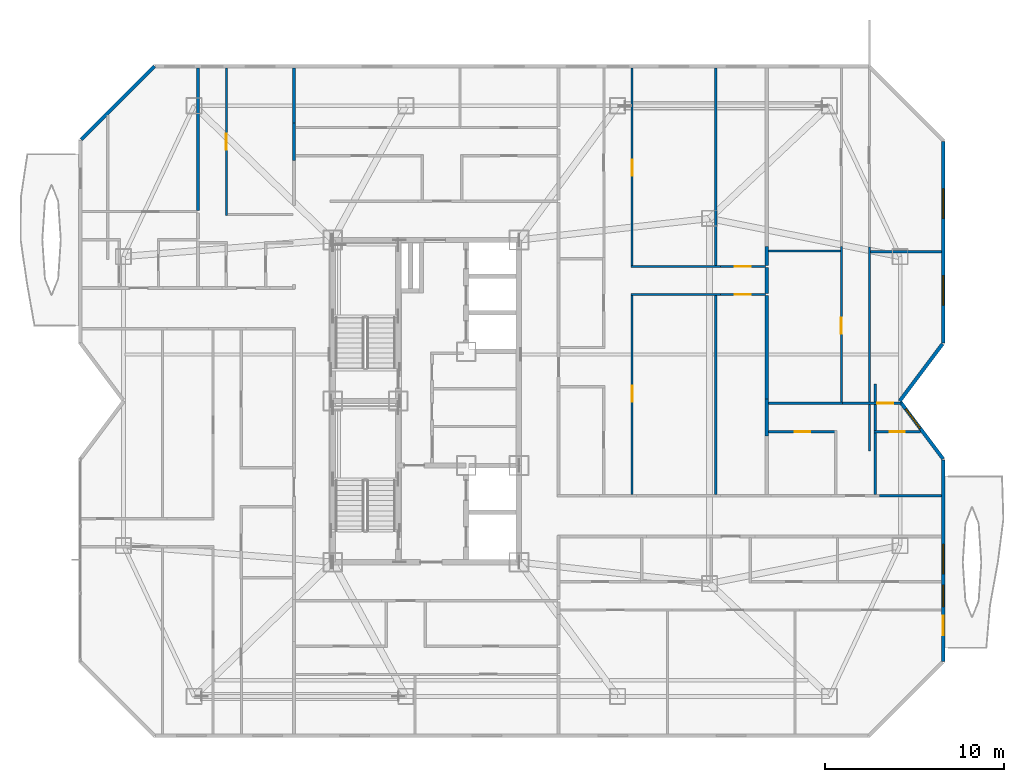
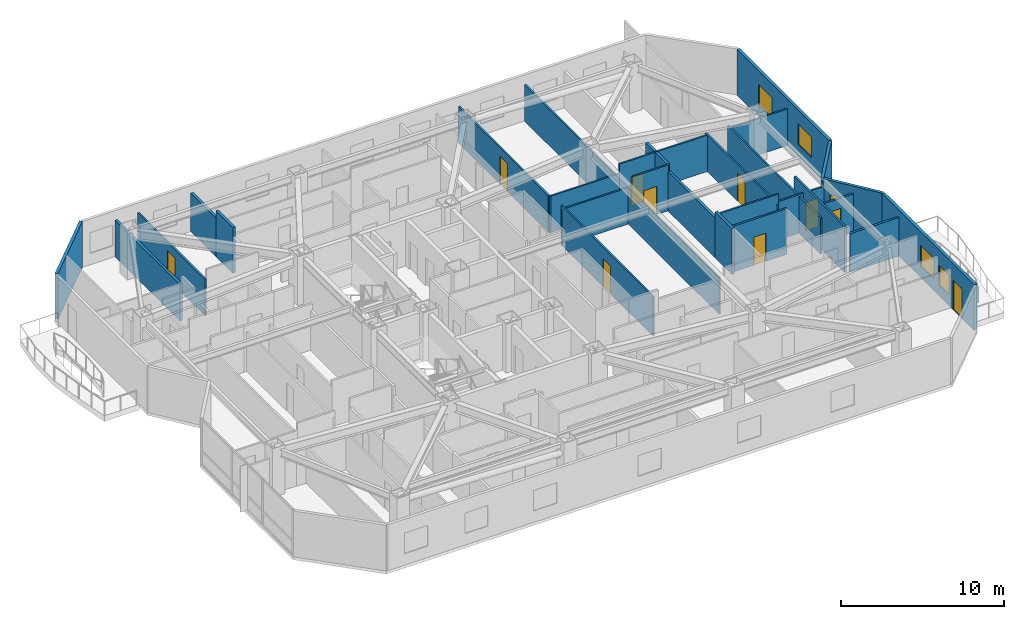
# One storey, part 13 of 16: 31 walls, 10 doors, 5 windows, 15 openings.
"""IFC4 building model written with IfcOpenShell, lengths in metres."""

from ifc_helpers import new_model, si_unit, direction, frame, frame_2d, origin, place, context, subcontext, project, spatial, rectangle, extrude, material, layer, layer_set, type_object, element, fill, save


model = new_model("IFC4")

# Units and contexts
model_context = context("Model", 3, precision=1e-05, world=origin(), true_north=direction((0.0, 1.0)))
body_context = subcontext(model_context, "Body", "Model", "MODEL_VIEW")
ifc_project = project(units=[si_unit("LENGTHUNIT", "METRE"), si_unit("AREAUNIT", "SQUARE_METRE"), si_unit("VOLUMEUNIT", "CUBIC_METRE"), si_unit("PLANEANGLEUNIT", "RADIAN"), si_unit("MASSUNIT", "GRAM", prefix="KILO")], contexts=[model_context])

# Site, building, storey
site_placement = place(None, origin())
site = spatial("IfcSite", under=ifc_project, at=site_placement, CompositionType="ELEMENT")
building_placement = place(site_placement, origin())
building = spatial("IfcBuilding", under=site, at=building_placement, Name="Khamvora Tower", CompositionType="ELEMENT")
storey_placement = place(building_placement, frame((0.0, 0.0, 170.5)))
storey = spatial("IfcBuildingStorey", under=building, at=storey_placement, Name="L43", CompositionType="ELEMENT", Elevation=170.5)

# Walls
ifc_material_1 = material(Name="Fire-Rated Drywall and Steel Stud", Category="steel")
ifc_layer_1 = layer(ifc_material_1, 0.14990234375)
ifc_layer_set_1 = layer_set([ifc_layer_1], Name="Fire-Rated Drywall and Steel Stud")
wall_type_1 = type_object("IfcWallType", Name="WAL-CORR-150", PredefinedType="STANDARD", material=ifc_layer_set_1)
wall_1_placement = place(storey_placement, frame((59.547119140625, 22.715087890625, 0.0), z_axis=(0.0, 0.0, 1.0), x_axis=(1.0, 0.0, 0.0)))
element("IfcWall", 1, at=wall_1_placement, inside=storey, type_object=wall_type_1, Name="L43 interior partition wall 043", PredefinedType="STANDARD", context=body_context, shape_type="SweptSolid", body=[
    extrude(rectangle(XDim=3.4609375, YDim=0.14990234375, at=frame_2d((1.73046875, 0.0))), origin(), (0.0, 0.0, 1.0), 2.8759765625),
])
ifc_material_2 = material(Name="Acoustic Double-Stud Fire Wall", Category="gypsum")
ifc_layer_2 = layer(ifc_material_2, 0.179931640625)
ifc_layer_set_2 = layer_set([ifc_layer_2], Name="Acoustic Double-Stud Fire Wall")
wall_type_2 = type_object("IfcWallType", Name="WAL-CORR-180", PredefinedType="STANDARD", material=ifc_layer_set_2)
wall_2_placement = place(storey_placement, frame((21.47509765625, 46.60791015625, 0.0), z_axis=(0.0, 0.0, 1.0), x_axis=(0.0, -1.0, 0.0)))
element("IfcWall", 2, at=wall_2_placement, inside=storey, type_object=wall_type_2, Name="L43 interior partition wall 071", PredefinedType="STANDARD", context=body_context, shape_type="SweptSolid", body=[
    extrude(rectangle(XDim=7.9619140625, YDim=0.179931640625, at=frame_2d((3.98095703125, 0.0))), origin(), (0.0, 0.0, 1.0), 2.72509765625),
])
wall_3_placement = place(storey_placement, frame((26.8349609375, 43.52392578125, 0.0), z_axis=(0.0, 0.0, 1.0), x_axis=(0.0, -1.0, 0.0)))
element("IfcWall", 3, at=wall_3_placement, inside=storey, type_object=wall_type_2, Name="L43 interior partition wall 078", PredefinedType="STANDARD", context=body_context, shape_type="SweptSolid", body=[
    extrude(rectangle(XDim=2.077880859375, YDim=0.179931640625, at=frame_2d((1.0390625, 0.0))), origin(), (0.0, 0.0, 1.0), 3.429931640625),
])
wall_4_placement = place(storey_placement, frame((26.8349609375, 46.60791015625, 0.0), z_axis=(0.0, 0.0, 1.0), x_axis=(0.0, -1.0, 0.0)))
element("IfcWall", 4, at=wall_4_placement, inside=storey, type_object=wall_type_2, Name="L43 interior partition wall 080", PredefinedType="STANDARD", context=body_context, shape_type="SweptSolid", body=[
    extrude(rectangle(XDim=3.083984375, YDim=0.179931640625, at=frame_2d((1.5419921875, 0.0))), origin(), (0.0, 0.0, 1.0), 2.8759765625),
])
wall_5_placement = place(storey_placement, frame((53.240966796875, 35.455078125, 0.0), z_axis=(0.0, 0.0, 1.0), x_axis=(0.0, -1.0, 0.0)))
element("IfcWall", 5, at=wall_5_placement, inside=storey, type_object=wall_type_2, Name="L43 interior partition wall 127", PredefinedType="STANDARD", context=body_context, shape_type="SweptSolid", body=[
    extrude(rectangle(XDim=1.440185546875, YDim=0.179931640625, at=frame_2d((0.72021484375, 0.0))), origin(), (0.0, 0.0, 1.0), 3.429931640625),
])
wall_6_placement = place(storey_placement, frame((53.240966796875, 28.1240234375, 0.0), z_axis=(0.0, 0.0, 1.0), x_axis=(0.0, -1.0, 0.0)))
element("IfcWall", 6, at=wall_6_placement, inside=storey, type_object=wall_type_2, Name="L43 interior partition wall 129", PredefinedType="STANDARD", context=body_context, shape_type="SweptSolid", body=[
    extrude(rectangle(XDim=2.078125, YDim=0.179931640625, at=frame_2d((1.0390625, 0.0))), origin(), (0.0, 0.0, 1.0), 3.429931640625),
])
wall_7_placement = place(storey_placement, frame((53.240966796875, 33.885009765625, 0.0), z_axis=(0.0, 0.0, 1.0), x_axis=(0.0, -1.0, 0.0)))
element("IfcWall", 7, at=wall_7_placement, inside=storey, type_object=wall_type_2, Name="L43 interior partition wall 131", PredefinedType="STANDARD", context=body_context, shape_type="SweptSolid", body=[
    extrude(rectangle(XDim=5.760986328125, YDim=0.179931640625, at=frame_2d((2.88037109375, 0.0))), origin(), (0.0, 0.0, 1.0), 2.95703125),
])
wall_8_placement = place(storey_placement, frame((53.240966796875, 36.635009765625, 0.0), z_axis=(0.0, 0.0, 1.0), x_axis=(0.0, -1.0, 0.0)))
element("IfcWall", 8, at=wall_8_placement, inside=storey, type_object=wall_type_2, Name="L43 interior partition wall 133", PredefinedType="STANDARD", context=body_context, shape_type="SweptSolid", body=[
    extrude(rectangle(XDim=1.050048828125, YDim=0.179931640625, at=frame_2d((0.52490234375, 0.0))), origin(), (0.0, 0.0, 1.0), 3.429931640625),
])
ifc_material_3 = material(Name="Precast concrete C40/50", Category="concrete")
ifc_layer_3 = layer(ifc_material_3, 0.199951171875)
ifc_layer_set_3 = layer_set([ifc_layer_3], Name="Precast concrete C40/50")
wall_type_3 = type_object("IfcWallType", Name="WAL-EXT-200", PredefinedType="STANDARD", material=ifc_layer_set_3)
wall_9_placement = place(storey_placement, frame((14.945068359375, 42.60400390625, 0.0), z_axis=(0.0, 0.0, 1.0), x_axis=(0.707106781187, 0.707106781187, 0.0)))
element("IfcWall", 9, at=wall_9_placement, inside=storey, type_object=wall_type_3, Name="L43 exterior facade wall 06.1", PredefinedType="STANDARD", context=body_context, shape_type="SweptSolid", body=[
    extrude(rectangle(XDim=5.79248046875, YDim=0.199951171875, at=frame_2d((2.896240234375, 0.0))), origin(), (0.0, 0.0, 1.0), 3.429931640625),
])

# Wall, openings, windows
wall_10_placement = place(storey_placement, frame((63.10009765625, 42.49609375, 0.0), z_axis=(0.0, 0.0, 1.0), x_axis=(0.0, -1.0, 0.0)))
wall_10 = element("IfcWall", 10, at=wall_10_placement, inside=storey, type_object=wall_type_3, Name="L43 exterior facade wall 09.1", PredefinedType="STANDARD", context=body_context, shape_type="SweptSolid", body=[
    extrude(rectangle(XDim=11.26318359375, YDim=0.199951171875, at=frame_2d((5.631591796875, 0.0))), origin(), (0.0, 0.0, 1.0), 3.429931640625),
])
opening_1_placement = place(wall_10_placement, frame((7.489990234375, 0.0, 0.85009765625)))
opening_1 = element("IfcOpeningElement", 11, at=opening_1_placement, cuts=wall_10, Name="Opening WN-06", PredefinedType="OPENING", context=body_context, shape_type="SweptSolid", body=[
    extrude(rectangle(XDim=1.64990234375, YDim=1.550048828125, at=frame_2d((0.824951171875, 0.77490234375))), frame((0.0, 0.10986328125, 0.0), z_axis=(0.0, -1.0, 0.0), x_axis=(1.0, 0.0, 0.0)), (0.0, 0.0, 1.0), 0.219970703125),
])
opening_2_placement = place(wall_10_placement, frame((2.64306640625, 0.0, 0.85009765625)))
opening_2 = element("IfcOpeningElement", 12, at=opening_2_placement, cuts=wall_10, Name="Opening WN-06", PredefinedType="OPENING", context=body_context, shape_type="SweptSolid", body=[
    extrude(rectangle(XDim=1.64990234375, YDim=1.550048828125, at=frame_2d((0.824951171875, 0.77490234375))), frame((0.0, 0.10986328125, 0.0), z_axis=(0.0, -1.0, 0.0), x_axis=(1.0, 0.0, 0.0)), (0.0, 0.0, 1.0), 0.219970703125),
])
ifc_material_4 = material(Name="Low-E Laminated Double Glazing", Category="glass")
window_type_1 = type_object("IfcWindowType", Name="WIN-VIS-1650x1550", PartitioningType="SINGLE_PANEL", PredefinedType="WINDOW", material=ifc_material_4)
window_1_placement = place(opening_1_placement, origin())
window_1 = element("IfcWindow", 13, at=window_1_placement, inside=storey, type_object=window_type_1, Name="L43 vision window 09.1.01", OverallHeight=1.550048828125, OverallWidth=1.64990234375, PartitioningType="SINGLE_PANEL", PredefinedType="WINDOW", context=body_context, shape_type="SweptSolid", body=[
    extrude(rectangle(XDim=1.64990234375, YDim=1.550048828125, at=frame_2d((0.824951171875, 0.77490234375))), frame((0.0, 0.030029296875, 0.0), z_axis=(0.0, -1.0, 0.0), x_axis=(1.0, 0.0, 0.0)), (0.0, 0.0, 1.0), 0.06005859375),
])
fill(opening_1, window_1)
window_2_placement = place(opening_2_placement, origin())
window_2 = element("IfcWindow", 14, at=window_2_placement, inside=storey, type_object=window_type_1, Name="L43 vision window 09.1.02", OverallHeight=1.550048828125, OverallWidth=1.64990234375, PartitioningType="SINGLE_PANEL", PredefinedType="WINDOW", context=body_context, shape_type="SweptSolid", body=[
    extrude(rectangle(XDim=1.64990234375, YDim=1.550048828125, at=frame_2d((0.824951171875, 0.77490234375))), frame((0.0, 0.030029296875, 0.0), z_axis=(0.0, -1.0, 0.0), x_axis=(1.0, 0.0, 0.0)), (0.0, 0.0, 1.0), 0.06005859375),
])
fill(opening_2, window_2)

# Wall
wall_11_placement = place(storey_placement, frame((63.069091796875, 31.19091796875, 0.0), z_axis=(0.0, 0.0, 1.0), x_axis=(-0.600137081448, -0.799897170561, 0.0)))
element("IfcWall", 15, at=wall_11_placement, inside=storey, type_object=wall_type_3, Name="L43 exterior facade wall 10.1", PredefinedType="STANDARD", context=body_context, shape_type="SweptSolid", body=[
    extrude(rectangle(XDim=3.9892578125, YDim=0.199951171875, at=frame_2d((1.99462890625, 0.0))), origin(), (0.0, 0.0, 1.0), 3.429931640625),
])

# Wall, opening, window
wall_12_placement = place(storey_placement, frame((60.72705078125, 27.930908203125, 0.0), z_axis=(0.0, 0.0, 1.0), x_axis=(0.600029630681, -0.799977776132, 0.0)))
wall_12 = element("IfcWall", 16, at=wall_12_placement, inside=storey, type_object=wall_type_3, Name="L43 exterior facade wall 11.1", PredefinedType="STANDARD", context=body_context, shape_type="SweptSolid", body=[
    extrude(rectangle(XDim=3.954833984375, YDim=0.199951171875, at=frame_2d((1.9775390625, 0.0))), origin(), (0.0, 0.0, 1.0), 3.429931640625),
])
opening_3_placement = place(wall_12_placement, frame((0.47802734375, 0.0, 0.85009765625)))
opening_3 = element("IfcOpeningElement", 17, at=opening_3_placement, cuts=wall_12, Name="Opening WN-07", PredefinedType="OPENING", context=body_context, shape_type="SweptSolid", body=[
    extrude(rectangle(XDim=1.35009765625, YDim=1.5, at=frame_2d((0.675048828125, 0.75))), frame((0.0, 0.10986328125, 0.0), z_axis=(0.0, -1.0, 0.0), x_axis=(1.0, 0.0, 0.0)), (0.0, 0.0, 1.0), 0.219970703125),
])
window_type_2 = type_object("IfcWindowType", Name="WIN-VIS-1350x1500", PartitioningType="SINGLE_PANEL", PredefinedType="WINDOW", material=ifc_material_4)
window_3_placement = place(opening_3_placement, origin())
window_3 = element("IfcWindow", 18, at=window_3_placement, inside=storey, type_object=window_type_2, Name="L43 vision window 11.1.01", OverallHeight=1.5, OverallWidth=1.35009765625, PartitioningType="SINGLE_PANEL", PredefinedType="WINDOW", context=body_context, shape_type="SweptSolid", body=[
    extrude(rectangle(XDim=1.35009765625, YDim=1.5, at=frame_2d((0.675048828125, 0.75))), frame((0.0, 0.030029296875, 0.0), z_axis=(0.0, -1.0, 0.0), x_axis=(1.0, 0.0, 0.0)), (0.0, 0.0, 1.0), 0.06005859375),
])
fill(opening_3, window_3)

# Wall, openings, door, windows
wall_13_placement = place(storey_placement, frame((63.10009765625, 24.717041015625, 0.0), z_axis=(0.0, 0.0, 1.0), x_axis=(0.0, -1.0, 0.0)))
wall_13 = element("IfcWall", 19, at=wall_13_placement, inside=storey, type_object=wall_type_3, Name="L43 exterior facade wall 12.1", PredefinedType="STANDARD", context=body_context, shape_type="SweptSolid", body=[
    extrude(rectangle(XDim=11.276123046875, YDim=0.199951171875, at=frame_2d((5.63818359375, 0.0))), origin(), (0.0, 0.0, 1.0), 3.429931640625),
])
opening_4_placement = place(wall_13_placement, frame((8.7099609375, 0.0, 0.0)))
opening_4 = element("IfcOpeningElement", 20, at=opening_4_placement, cuts=wall_13, Name="Opening BD-01", PredefinedType="OPENING", context=body_context, shape_type="SweptSolid", body=[
    extrude(rectangle(XDim=1.10009765625, YDim=2.199951171875, at=frame_2d((0.550048828125, 1.10009765625))), frame((0.0, 0.10986328125, 0.0), z_axis=(0.0, -1.0, 0.0), x_axis=(1.0, 0.0, 0.0)), (0.0, 0.0, 1.0), 0.219970703125),
])
opening_5_placement = place(wall_13_placement, frame((4.721923828125, 0.0, 0.85009765625)))
opening_5 = element("IfcOpeningElement", 21, at=opening_5_placement, cuts=wall_13, Name="Opening WN-06", PredefinedType="OPENING", context=body_context, shape_type="SweptSolid", body=[
    extrude(rectangle(XDim=1.64990234375, YDim=1.550048828125, at=frame_2d((0.824951171875, 0.77490234375))), frame((0.0, 0.10986328125, 0.0), z_axis=(0.0, -1.0, 0.0), x_axis=(1.0, 0.0, 0.0)), (0.0, 0.0, 1.0), 0.219970703125),
])
opening_6_placement = place(wall_13_placement, frame((7.001953125, 0.0, 0.800048828125)))
opening_6 = element("IfcOpeningElement", 22, at=opening_6_placement, cuts=wall_13, Name="Opening WN-03", PredefinedType="OPENING", context=body_context, shape_type="SweptSolid", body=[
    extrude(rectangle(XDim=1.199951171875, YDim=1.5, at=frame_2d((0.60009765625, 0.75))), frame((0.0, 0.10986328125, 0.0), z_axis=(0.0, -1.0, 0.0), x_axis=(1.0, 0.0, 0.0)), (0.0, 0.0, 1.0), 0.219970703125),
])
ifc_material_5 = material(Name="Anodised Aluminium and Laminated Safety Glass", Category="aluminium")
door_type_1 = type_object("IfcDoorType", Name="DOR-BAL-1100", OperationType="NOTDEFINED", PredefinedType="DOOR", material=ifc_material_5)
door_1_placement = place(opening_4_placement, origin())
door_1 = element("IfcDoor", 23, at=door_1_placement, inside=storey, type_object=door_type_1, Name="L43 lens gallery balcony door EL1", OperationType="SLIDING_TO_LEFT", OverallHeight=2.199951171875, OverallWidth=1.10009765625, PredefinedType="DOOR", context=body_context, shape_type="SweptSolid", body=[
    extrude(rectangle(XDim=1.10009765625, YDim=2.199951171875, at=frame_2d((0.550048828125, 1.10009765625))), frame((0.0, 0.02490234375, 0.0), z_axis=(0.0, -1.0, 0.0), x_axis=(1.0, 0.0, 0.0)), (0.0, 0.0, 1.0), 0.050048828125),
])
fill(opening_4, door_1)
window_type_3 = type_object("IfcWindowType", Name="WIN-VIS-1200x1500", PartitioningType="SINGLE_PANEL", PredefinedType="WINDOW", material=ifc_material_4)
window_4_placement = place(opening_6_placement, origin())
window_4 = element("IfcWindow", 24, at=window_4_placement, inside=storey, type_object=window_type_3, Name="L43 vision window 12.1.02", OverallHeight=1.5, OverallWidth=1.199951171875, PartitioningType="SINGLE_PANEL", PredefinedType="WINDOW", context=body_context, shape_type="SweptSolid", body=[
    extrude(rectangle(XDim=1.199951171875, YDim=1.5, at=frame_2d((0.60009765625, 0.75))), frame((0.0, 0.030029296875, 0.0), z_axis=(0.0, -1.0, 0.0), x_axis=(1.0, 0.0, 0.0)), (0.0, 0.0, 1.0), 0.06005859375),
])
fill(opening_6, window_4)
window_5_placement = place(opening_5_placement, origin())
window_5 = element("IfcWindow", 25, at=window_5_placement, inside=storey, type_object=window_type_1, Name="L43 vision window 12.1.01", OverallHeight=1.550048828125, OverallWidth=1.64990234375, PartitioningType="SINGLE_PANEL", PredefinedType="WINDOW", context=body_context, shape_type="SweptSolid", body=[
    extrude(rectangle(XDim=1.64990234375, YDim=1.550048828125, at=frame_2d((0.824951171875, 0.77490234375))), frame((0.0, 0.030029296875, 0.0), z_axis=(0.0, -1.0, 0.0), x_axis=(1.0, 0.0, 0.0)), (0.0, 0.0, 1.0), 0.06005859375),
])
fill(opening_5, window_5)

# Wall, opening, door
ifc_material_6 = material(Name="Gypsum Plasterboard Partition", Category="gypsum")
ifc_layer_4 = layer(ifc_material_6, 0.1201171875)
ifc_layer_set_4 = layer_set([ifc_layer_4], Name="Gypsum Plasterboard Partition")
wall_type_4 = type_object("IfcWallType", Name="WAL-PART-120", PredefinedType="PARTITIONING", material=ifc_layer_set_4)
wall_14_placement = place(storey_placement, frame((23.054931640625, 46.60791015625, 0.0), z_axis=(0.0, 0.0, 1.0), x_axis=(0.0, -1.0, 0.0)))
wall_14 = element("IfcWall", 26, at=wall_14_placement, inside=storey, type_object=wall_type_4, Name="L43 interior partition wall 076", PredefinedType="PARTITIONING", context=body_context, shape_type="SweptSolid", body=[
    extrude(rectangle(XDim=8.247802734375, YDim=0.1201171875, at=frame_2d((4.1240234375, 0.0))), origin(), (0.0, 0.0, 1.0), 2.72509765625),
])
opening_7_placement = place(wall_14_placement, frame((3.674072265625, 0.0, 0.0)))
opening_7 = element("IfcOpeningElement", 27, at=opening_7_placement, cuts=wall_14, Name="Opening D-RM1", PredefinedType="OPENING", context=body_context, shape_type="SweptSolid", body=[
    extrude(rectangle(XDim=0.89990234375, YDim=2.10009765625, at=frame_2d((0.449951171875, 1.050048828125))), frame((0.0, 0.070068359375, 0.0), z_axis=(0.0, -1.0, 0.0), x_axis=(1.0, 0.0, 0.0)), (0.0, 0.0, 1.0), 0.14013671875),
])
ifc_material_7 = material(Name="Powder-Coated Steel and Hardwood Leaf", Category="steel")
door_type_2 = type_object("IfcDoorType", Name="DOR-ROOM-900", OperationType="NOTDEFINED", PredefinedType="DOOR", material=ifc_material_7)
door_2_placement = place(opening_7_placement, origin())
door_2 = element("IfcDoor", 28, at=door_2_placement, inside=storey, type_object=door_type_2, Name="L43 interior door 43WCH-43WCR1", OperationType="SINGLE_SWING_LEFT", OverallHeight=2.10009765625, OverallWidth=0.89990234375, PredefinedType="DOOR", context=body_context, shape_type="SweptSolid", body=[
    extrude(rectangle(XDim=0.89990234375, YDim=2.10009765625, at=frame_2d((0.449951171875, 1.050048828125))), frame((0.0, 0.02490234375, 0.0), z_axis=(0.0, -1.0, 0.0), x_axis=(1.0, 0.0, 0.0)), (0.0, 0.0, 1.0), 0.050048828125),
])
fill(opening_7, door_2)

# Wall
wall_15_placement = place(storey_placement, frame((50.64892578125, 33.949951171875, 0.0), z_axis=(0.0, 0.0, 1.0), x_axis=(-1.0, 0.0, 0.0)))
element("IfcWall", 29, at=wall_15_placement, inside=storey, type_object=wall_type_4, Name="L43 interior partition wall 121", PredefinedType="PARTITIONING", context=body_context, shape_type="SweptSolid", body=[
    extrude(rectangle(XDim=4.989013671875, YDim=0.1201171875, at=frame_2d((2.49462890625, 0.0))), origin(), (0.0, 0.0, 1.0), 2.72509765625),
])

# Wall, opening, door
wall_16_placement = place(storey_placement, frame((45.72509765625, 34.014892578125, 0.0), z_axis=(0.0, 0.0, 1.0), x_axis=(0.0, -1.0, 0.0)))
wall_16 = element("IfcWall", 30, at=wall_16_placement, inside=storey, type_object=wall_type_4, Name="L43 interior partition wall 122", PredefinedType="PARTITIONING", context=body_context, shape_type="SweptSolid", body=[
    extrude(rectangle(XDim=11.23486328125, YDim=0.1201171875, at=frame_2d((5.617431640625, 0.0))), origin(), (0.0, 0.0, 1.0), 2.95703125),
])
opening_8_placement = place(wall_16_placement, frame((5.1669921875, 0.0, 0.0)))
opening_8 = element("IfcOpeningElement", 31, at=opening_8_placement, cuts=wall_16, Name="Opening D-RM1", PredefinedType="OPENING", context=body_context, shape_type="SweptSolid", body=[
    extrude(rectangle(XDim=0.89990234375, YDim=2.10009765625, at=frame_2d((0.449951171875, 1.050048828125))), frame((0.0, 0.070068359375, 0.0), z_axis=(0.0, -1.0, 0.0), x_axis=(1.0, 0.0, 0.0)), (0.0, 0.0, 1.0), 0.14013671875),
])
door_3_placement = place(opening_8_placement, origin())
door_3 = element("IfcDoor", 32, at=door_3_placement, inside=storey, type_object=door_type_2, Name="L43 interior door 43EB1H-43EB1R1", OperationType="SINGLE_SWING_RIGHT", OverallHeight=2.10009765625, OverallWidth=0.89990234375, PredefinedType="DOOR", context=body_context, shape_type="SweptSolid", body=[
    extrude(rectangle(XDim=0.89990234375, YDim=2.10009765625, at=frame_2d((0.449951171875, 1.050048828125))), frame((0.0, 0.02490234375, 0.0), z_axis=(0.0, -1.0, 0.0), x_axis=(1.0, 0.0, 0.0)), (0.0, 0.0, 1.0), 0.050048828125),
])
fill(opening_8, door_3)

wall_17_placement = place(storey_placement, frame((53.176025390625, 33.949951171875, 0.0), z_axis=(0.0, 0.0, 1.0), x_axis=(-1.0, 0.0, 0.0)))
wall_17 = element("IfcWall", 33, at=wall_17_placement, inside=storey, type_object=wall_type_4, Name="L43 interior partition wall 123", PredefinedType="PARTITIONING", context=body_context, shape_type="SweptSolid", body=[
    extrude(rectangle(XDim=2.527099609375, YDim=0.1201171875, at=frame_2d((1.263671875, 0.0))), origin(), (0.0, 0.0, 1.0), 3.429931640625),
])
opening_9_placement = place(wall_17_placement, frame((0.81396484375, 0.0, 0.0)))
opening_9 = element("IfcOpeningElement", 34, at=opening_9_placement, cuts=wall_17, Name="Opening D-RM1", PredefinedType="OPENING", context=body_context, shape_type="SweptSolid", body=[
    extrude(rectangle(XDim=0.89990234375, YDim=2.10009765625, at=frame_2d((0.449951171875, 1.050048828125))), frame((0.0, 0.070068359375, 0.0), z_axis=(0.0, -1.0, 0.0), x_axis=(1.0, 0.0, 0.0)), (0.0, 0.0, 1.0), 0.14013671875),
])
door_4_placement = place(opening_9_placement, origin())
door_4 = element("IfcDoor", 35, at=door_4_placement, inside=storey, type_object=door_type_2, Name="L43 interior door 43EB1H-43EB1R2", OperationType="SINGLE_SWING_LEFT", OverallHeight=2.10009765625, OverallWidth=0.89990234375, PredefinedType="DOOR", context=body_context, shape_type="SweptSolid", body=[
    extrude(rectangle(XDim=0.89990234375, YDim=2.10009765625, at=frame_2d((0.449951171875, 1.050048828125))), frame((0.0, 0.02490234375, 0.0), z_axis=(0.0, -1.0, 0.0), x_axis=(1.0, 0.0, 0.0)), (0.0, 0.0, 1.0), 0.050048828125),
])
fill(opening_9, door_4)

wall_18_placement = place(storey_placement, frame((45.72509765625, 46.60791015625, 0.0), z_axis=(0.0, 0.0, 1.0), x_axis=(0.0, -1.0, 0.0)))
wall_18 = element("IfcWall", 36, at=wall_18_placement, inside=storey, type_object=wall_type_4, Name="L43 interior partition wall 124", PredefinedType="PARTITIONING", context=body_context, shape_type="SweptSolid", body=[
    extrude(rectangle(XDim=11.15283203125, YDim=0.1201171875, at=frame_2d((5.576416015625, 0.0))), origin(), (0.0, 0.0, 1.0), 2.72509765625),
])
opening_10_placement = place(wall_18_placement, frame((5.126953125, 0.0, 0.0)))
opening_10 = element("IfcOpeningElement", 37, at=opening_10_placement, cuts=wall_18, Name="Opening D-RM1", PredefinedType="OPENING", context=body_context, shape_type="SweptSolid", body=[
    extrude(rectangle(XDim=0.89990234375, YDim=2.10009765625, at=frame_2d((0.449951171875, 1.050048828125))), frame((0.0, 0.070068359375, 0.0), z_axis=(0.0, -1.0, 0.0), x_axis=(1.0, 0.0, 0.0)), (0.0, 0.0, 1.0), 0.14013671875),
])
door_5_placement = place(opening_10_placement, origin())
door_5 = element("IfcDoor", 38, at=door_5_placement, inside=storey, type_object=door_type_2, Name="L43 interior door 43EB1H-43EB1R3", OperationType="SINGLE_SWING_RIGHT", OverallHeight=2.10009765625, OverallWidth=0.89990234375, PredefinedType="DOOR", context=body_context, shape_type="SweptSolid", body=[
    extrude(rectangle(XDim=0.89990234375, YDim=2.10009765625, at=frame_2d((0.449951171875, 1.050048828125))), frame((0.0, 0.02490234375, 0.0), z_axis=(0.0, -1.0, 0.0), x_axis=(1.0, 0.0, 0.0)), (0.0, 0.0, 1.0), 0.050048828125),
])
fill(opening_10, door_5)

# Wall
wall_19_placement = place(storey_placement, frame((45.659912109375, 35.52001953125, 0.0), z_axis=(0.0, 0.0, 1.0), x_axis=(1.0, 0.0, 0.0)))
element("IfcWall", 39, at=wall_19_placement, inside=storey, type_object=wall_type_4, Name="L43 interior partition wall 125", PredefinedType="PARTITIONING", context=body_context, shape_type="SweptSolid", body=[
    extrude(rectangle(XDim=4.989013671875, YDim=0.1201171875, at=frame_2d((2.49462890625, 0.0))), origin(), (0.0, 0.0, 1.0), 2.72509765625),
])

# Wall, opening, door
wall_20_placement = place(storey_placement, frame((50.64892578125, 35.52001953125, 0.0), z_axis=(0.0, 0.0, 1.0), x_axis=(1.0, 0.0, 0.0)))
wall_20 = element("IfcWall", 40, at=wall_20_placement, inside=storey, type_object=wall_type_4, Name="L43 interior partition wall 126", PredefinedType="PARTITIONING", context=body_context, shape_type="SweptSolid", body=[
    extrude(rectangle(XDim=2.527099609375, YDim=0.1201171875, at=frame_2d((1.263671875, 0.0))), origin(), (0.0, 0.0, 1.0), 3.429931640625),
])
opening_11_placement = place(wall_20_placement, frame((0.81396484375, 0.0, 0.0)))
opening_11 = element("IfcOpeningElement", 41, at=opening_11_placement, cuts=wall_20, Name="Opening D-RM1", PredefinedType="OPENING", context=body_context, shape_type="SweptSolid", body=[
    extrude(rectangle(XDim=0.89990234375, YDim=2.10009765625, at=frame_2d((0.449951171875, 1.050048828125))), frame((0.0, 0.070068359375, 0.0), z_axis=(0.0, -1.0, 0.0), x_axis=(1.0, 0.0, 0.0)), (0.0, 0.0, 1.0), 0.14013671875),
])
door_6_placement = place(opening_11_placement, origin())
door_6 = element("IfcDoor", 42, at=door_6_placement, inside=storey, type_object=door_type_2, Name="L43 interior door 43EB1H-43EB1R4", OperationType="SINGLE_SWING_LEFT", OverallHeight=2.10009765625, OverallWidth=0.89990234375, PredefinedType="DOOR", context=body_context, shape_type="SweptSolid", body=[
    extrude(rectangle(XDim=0.89990234375, YDim=2.10009765625, at=frame_2d((0.449951171875, 1.050048828125))), frame((0.0, 0.02490234375, 0.0), z_axis=(0.0, -1.0, 0.0), x_axis=(1.0, 0.0, 0.0)), (0.0, 0.0, 1.0), 0.050048828125),
])
fill(opening_11, door_6)

# Walls
wall_21_placement = place(storey_placement, frame((50.39990234375, 33.89599609375, 0.0), z_axis=(0.0, 0.0, 1.0), x_axis=(0.0, -1.0, 0.0)))
element("IfcWall", 43, at=wall_21_placement, inside=storey, type_object=wall_type_4, Name="L43 interior partition wall 128", PredefinedType="PARTITIONING", context=body_context, shape_type="SweptSolid", body=[
    extrude(rectangle(XDim=11.115966796875, YDim=0.1201171875, at=frame_2d((5.55810546875, 0.0))), origin(), (0.0, 0.0, 1.0), 2.72509765625),
])
wall_22_placement = place(storey_placement, frame((50.39990234375, 46.60791015625, 0.0), z_axis=(0.0, 0.0, 1.0), x_axis=(0.0, -1.0, 0.0)))
element("IfcWall", 44, at=wall_22_placement, inside=storey, type_object=wall_type_4, Name="L43 interior partition wall 132", PredefinedType="PARTITIONING", context=body_context, shape_type="SweptSolid", body=[
    extrude(rectangle(XDim=11.033935546875, YDim=0.1201171875, at=frame_2d((5.51708984375, 0.0))), origin(), (0.0, 0.0, 1.0), 2.72509765625),
])
wall_23_placement = place(storey_placement, frame((53.322998046875, 27.875, 0.0), z_axis=(0.0, 0.0, 1.0), x_axis=(1.0, 0.0, 0.0)))
element("IfcWall", 45, at=wall_23_placement, inside=storey, type_object=wall_type_4, Name="L43 interior partition wall 139", PredefinedType="PARTITIONING", context=body_context, shape_type="SweptSolid", body=[
    extrude(rectangle(XDim=4.155029296875, YDim=0.1201171875, at=frame_2d((2.07763671875, 0.0))), origin(), (0.0, 0.0, 1.0), 3.429931640625),
])

# Wall, opening, door
wall_24_placement = place(storey_placement, frame((57.4130859375, 27.81005859375, 0.0), z_axis=(0.0, 0.0, 1.0), x_axis=(0.0, 1.0, 0.0)))
wall_24 = element("IfcWall", 46, at=wall_24_placement, inside=storey, type_object=wall_type_4, Name="L43 interior partition wall 140", PredefinedType="PARTITIONING", context=body_context, shape_type="SweptSolid", body=[
    extrude(rectangle(XDim=8.824951171875, YDim=0.1201171875, at=frame_2d((4.41259765625, 0.0))), origin(), (0.0, 0.0, 1.0), 2.72509765625),
])
opening_12_placement = place(wall_24_placement, frame((3.94091796875, 0.0, 0.0)))
opening_12 = element("IfcOpeningElement", 47, at=opening_12_placement, cuts=wall_24, Name="Opening D-RM1", PredefinedType="OPENING", context=body_context, shape_type="SweptSolid", body=[
    extrude(rectangle(XDim=0.89990234375, YDim=2.10009765625, at=frame_2d((0.449951171875, 1.050048828125))), frame((0.0, 0.070068359375, 0.0), z_axis=(0.0, -1.0, 0.0), x_axis=(1.0, 0.0, 0.0)), (0.0, 0.0, 1.0), 0.14013671875),
])
door_7_placement = place(opening_12_placement, origin())
door_7 = element("IfcDoor", 48, at=door_7_placement, inside=storey, type_object=door_type_2, Name="L43 interior door 43EB2H-43EB2L", OperationType="SINGLE_SWING_RIGHT", OverallHeight=2.10009765625, OverallWidth=0.89990234375, PredefinedType="DOOR", context=body_context, shape_type="SweptSolid", body=[
    extrude(rectangle(XDim=0.89990234375, YDim=2.10009765625, at=frame_2d((0.449951171875, 1.050048828125))), frame((0.0, 0.02490234375, 0.0), z_axis=(0.0, -1.0, 0.0), x_axis=(1.0, 0.0, 0.0)), (0.0, 0.0, 1.0), 0.050048828125),
])
fill(opening_12, door_7)

# Wall
wall_25_placement = place(storey_placement, frame((58.98291015625, 36.593017578125, 0.0), z_axis=(0.0, 0.0, 1.0), x_axis=(0.0, -1.0, 0.0)))
element("IfcWall", 49, at=wall_25_placement, inside=storey, type_object=wall_type_4, Name="L43 interior partition wall 142", PredefinedType="PARTITIONING", context=body_context, shape_type="SweptSolid", body=[
    extrude(rectangle(XDim=11.383056640625, YDim=0.1201171875, at=frame_2d((5.69140625, 0.0))), origin(), (0.0, 0.0, 1.0), 2.72509765625),
])

# Wall, opening, door
wall_26_placement = place(storey_placement, frame((57.47802734375, 27.875, 0.0), z_axis=(0.0, 0.0, 1.0), x_axis=(1.0, 0.0, 0.0)))
wall_26 = element("IfcWall", 50, at=wall_26_placement, inside=storey, type_object=wall_type_4, Name="L43 interior partition wall 143", PredefinedType="PARTITIONING", context=body_context, shape_type="SweptSolid", body=[
    extrude(rectangle(XDim=3.263916015625, YDim=0.1201171875, at=frame_2d((1.6318359375, 0.0))), origin(), (0.0, 0.0, 1.0), 2.8759765625),
])
opening_13_placement = place(wall_26_placement, frame((1.93310546875, 0.0, 0.0)))
opening_13 = element("IfcOpeningElement", 51, at=opening_13_placement, cuts=wall_26, Name="Opening D-RM1", PredefinedType="OPENING", context=body_context, shape_type="SweptSolid", body=[
    extrude(rectangle(XDim=0.89990234375, YDim=2.10009765625, at=frame_2d((0.449951171875, 1.050048828125))), frame((0.0, 0.070068359375, 0.0), z_axis=(0.0, -1.0, 0.0), x_axis=(1.0, 0.0, 0.0)), (0.0, 0.0, 1.0), 0.14013671875),
])
door_8_placement = place(opening_13_placement, origin())
door_8 = element("IfcDoor", 52, at=door_8_placement, inside=storey, type_object=door_type_2, Name="L43 interior door 43EB2H-43EB2R3", OperationType="SINGLE_SWING_RIGHT", OverallHeight=2.10009765625, OverallWidth=0.89990234375, PredefinedType="DOOR", context=body_context, shape_type="SweptSolid", body=[
    extrude(rectangle(XDim=0.89990234375, YDim=2.10009765625, at=frame_2d((0.449951171875, 1.050048828125))), frame((0.0, 0.02490234375, 0.0), z_axis=(0.0, -1.0, 0.0), x_axis=(1.0, 0.0, 0.0)), (0.0, 0.0, 1.0), 0.050048828125),
])
fill(opening_13, door_8)

# Walls
wall_27_placement = place(storey_placement, frame((53.322998046875, 36.385986328125, 0.0), z_axis=(0.0, 0.0, 1.0), x_axis=(1.0, 0.0, 0.0)))
element("IfcWall", 53, at=wall_27_placement, inside=storey, type_object=wall_type_4, Name="L43 interior partition wall 145", PredefinedType="PARTITIONING", context=body_context, shape_type="SweptSolid", body=[
    extrude(rectangle(XDim=4.035888671875, YDim=0.1201171875, at=frame_2d((2.01806640625, 0.0))), origin(), (0.0, 0.0, 1.0), 2.72509765625),
])
wall_28_placement = place(storey_placement, frame((59.037109375, 36.343994140625, 0.0), z_axis=(0.0, 0.0, 1.0), x_axis=(1.0, 0.0, 0.0)))
element("IfcWall", 54, at=wall_28_placement, inside=storey, type_object=wall_type_4, Name="L43 interior partition wall 146", PredefinedType="PARTITIONING", context=body_context, shape_type="SweptSolid", body=[
    extrude(rectangle(XDim=3.970947265625, YDim=0.1201171875, at=frame_2d((1.9853515625, 0.0))), origin(), (0.0, 0.0, 1.0), 2.72509765625),
])

# Wall, opening, door
ifc_material_8 = material(Name="Moisture-Resistant Plasterboard Partition", Category="gypsum")
ifc_layer_5 = layer(ifc_material_8, 0.135009765625)
ifc_layer_set_5 = layer_set([ifc_layer_5], Name="Moisture-Resistant Plasterboard Partition")
wall_type_5 = type_object("IfcWallType", Name="WAL-WET-135", PredefinedType="PARTITIONING", material=ifc_layer_set_5)
wall_29_placement = place(storey_placement, frame((61.85009765625, 26.294921875, 0.0), z_axis=(0.0, 0.0, 1.0), x_axis=(-1.0, 0.0, 0.0)))
wall_29 = element("IfcWall", 55, at=wall_29_placement, inside=storey, type_object=wall_type_5, Name="L43 interior partition wall 135", PredefinedType="PARTITIONING", context=body_context, shape_type="SweptSolid", body=[
    extrude(rectangle(XDim=2.6171875, YDim=0.135009765625, at=frame_2d((1.30859375, 0.0))), origin(), (0.0, 0.0, 1.0), 2.8759765625),
])
opening_14_placement = place(wall_29_placement, frame((0.883056640625, 0.0, 0.0)))
opening_14 = element("IfcOpeningElement", 56, at=opening_14_placement, cuts=wall_29, Name="Opening D-WC1", PredefinedType="OPENING", context=body_context, shape_type="SweptSolid", body=[
    extrude(rectangle(XDim=0.85009765625, YDim=2.10009765625, at=frame_2d((0.425048828125, 1.050048828125))), frame((0.0, 0.077392578125, 0.0), z_axis=(0.0, -1.0, 0.0), x_axis=(1.0, 0.0, 0.0)), (0.0, 0.0, 1.0), 0.155029296875),
])
door_type_3 = type_object("IfcDoorType", Name="DOR-WET-850", OperationType="NOTDEFINED", PredefinedType="DOOR", material=ifc_material_7)
door_9_placement = place(opening_14_placement, origin())
door_9 = element("IfcDoor", 57, at=door_9_placement, inside=storey, type_object=door_type_3, Name="L43 interior door 43EB2H-43EB2B", OperationType="SINGLE_SWING_RIGHT", OverallHeight=2.10009765625, OverallWidth=0.85009765625, PredefinedType="DOOR", context=body_context, shape_type="SweptSolid", body=[
    extrude(rectangle(XDim=0.85009765625, YDim=2.10009765625, at=frame_2d((0.425048828125, 1.050048828125))), frame((0.0, 0.02490234375, 0.0), z_axis=(0.0, -1.0, 0.0), x_axis=(1.0, 0.0, 0.0)), (0.0, 0.0, 1.0), 0.050048828125),
])
fill(opening_14, door_9)

# Wall
wall_30_placement = place(storey_placement, frame((59.298095703125, 28.9599609375, 0.0), z_axis=(0.0, 0.0, 1.0), x_axis=(0.0, -1.0, 0.0)))
element("IfcWall", 58, at=wall_30_placement, inside=storey, type_object=wall_type_5, Name="L43 interior partition wall 136", PredefinedType="PARTITIONING", context=body_context, shape_type="SweptSolid", body=[
    extrude(rectangle(XDim=6.179931640625, YDim=0.135009765625, at=frame_2d((3.08984375, 0.0))), origin(), (0.0, 0.0, 1.0), 3.429931640625),
])

# Wall, opening, door
wall_31_placement = place(storey_placement, frame((57.1630859375, 26.294921875, 0.0), z_axis=(0.0, 0.0, 1.0), x_axis=(-1.0, 0.0, 0.0)))
wall_31 = element("IfcWall", 59, at=wall_31_placement, inside=storey, type_object=wall_type_5, Name="L43 interior partition wall 138", PredefinedType="PARTITIONING", context=body_context, shape_type="SweptSolid", body=[
    extrude(rectangle(XDim=3.840087890625, YDim=0.135009765625, at=frame_2d((1.919921875, 0.0))), origin(), (0.0, 0.0, 1.0), 3.429931640625),
])
opening_15_placement = place(wall_31_placement, frame((1.4951171875, 0.0, 0.0)))
opening_15 = element("IfcOpeningElement", 60, at=opening_15_placement, cuts=wall_31, Name="Opening D-RM2", PredefinedType="OPENING", context=body_context, shape_type="SweptSolid", body=[
    extrude(rectangle(XDim=0.85009765625, YDim=2.10009765625, at=frame_2d((0.425048828125, 1.050048828125))), frame((0.0, 0.077392578125, 0.0), z_axis=(0.0, -1.0, 0.0), x_axis=(1.0, 0.0, 0.0)), (0.0, 0.0, 1.0), 0.155029296875),
])
door_type_4 = type_object("IfcDoorType", Name="DOR-ROOM-850", OperationType="NOTDEFINED", PredefinedType="DOOR", material=ifc_material_7)
door_10_placement = place(opening_15_placement, origin())
door_10 = element("IfcDoor", 61, at=door_10_placement, inside=storey, type_object=door_type_4, Name="L43 interior door 43EB2H-43EB2K", OperationType="SINGLE_SWING_LEFT", OverallHeight=2.10009765625, OverallWidth=0.85009765625, PredefinedType="DOOR", context=body_context, shape_type="SweptSolid", body=[
    extrude(rectangle(XDim=0.85009765625, YDim=2.10009765625, at=frame_2d((0.425048828125, 1.050048828125))), frame((0.0, 0.02490234375, 0.0), z_axis=(0.0, -1.0, 0.0), x_axis=(1.0, 0.0, 0.0)), (0.0, 0.0, 1.0), 0.050048828125),
])
fill(opening_15, door_10)

save(model, "model.ifc")
